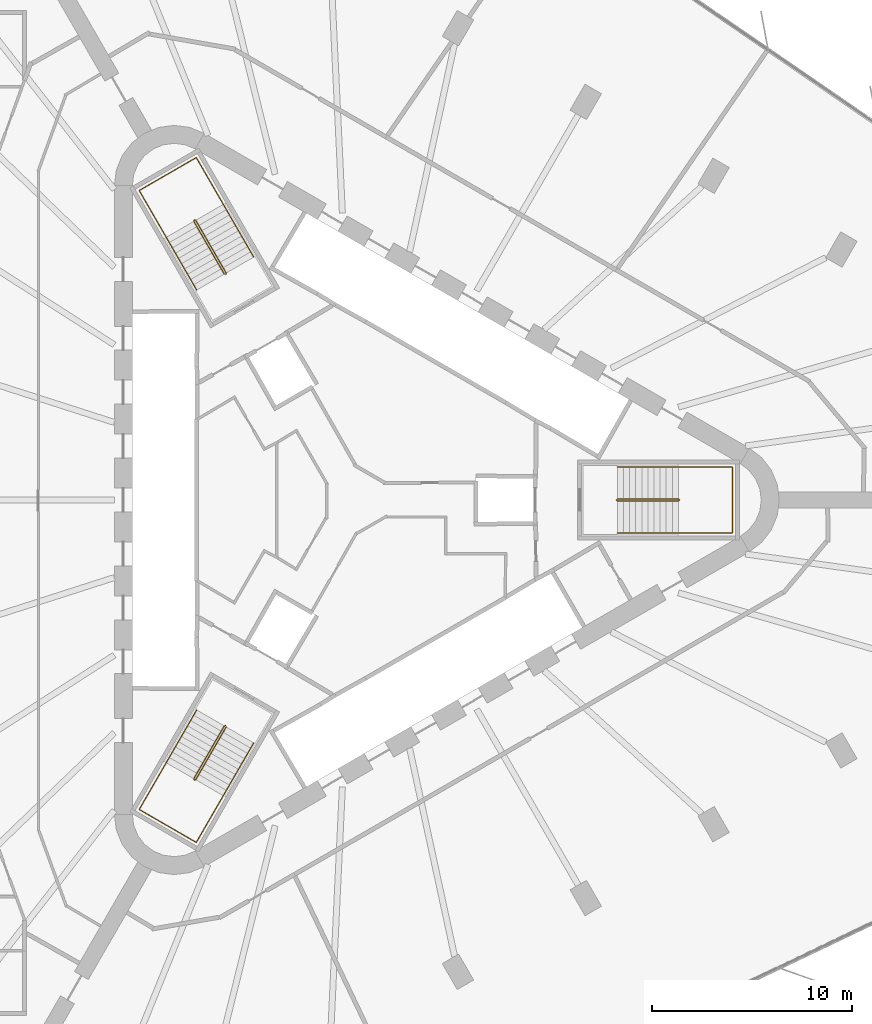
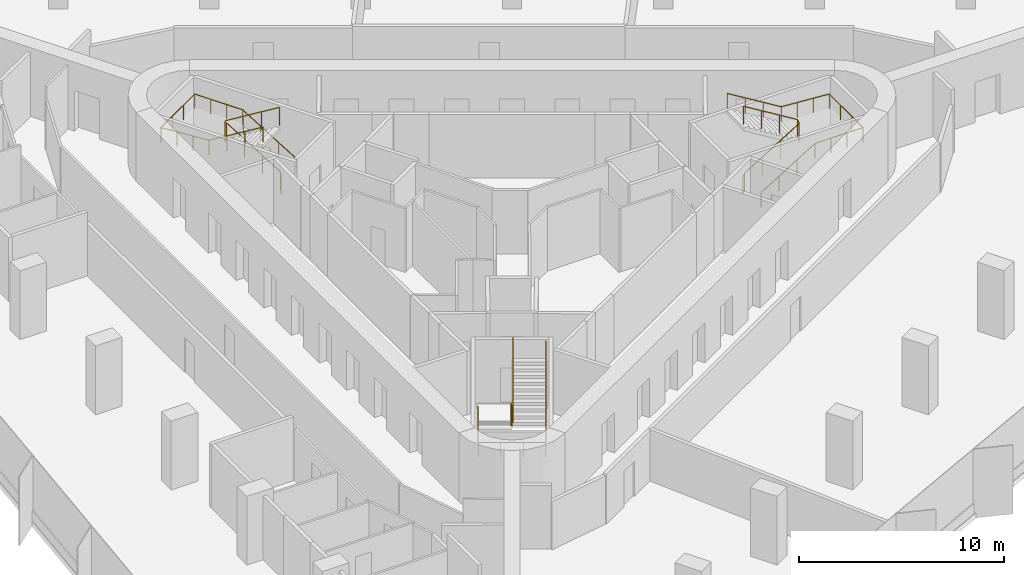
# One storey, part 15 of 15: 6 railings.
"""IFC4 building model written with IfcOpenShell, lengths in metres."""

from ifc_helpers import new_model, si_unit, direction, frame, origin, origin_2d, place, context, subcontext, project, spatial, circle, extrude, material, type_object, element, save


model = new_model("IFC4")

# Units and contexts
model_context = context("Model", 3, precision=1e-05, world=origin(), true_north=direction((0.0, 1.0)))
body_context = subcontext(model_context, "Body", "Model", "MODEL_VIEW")
ifc_project = project(units=[si_unit("LENGTHUNIT", "METRE"), si_unit("AREAUNIT", "SQUARE_METRE"), si_unit("VOLUMEUNIT", "CUBIC_METRE"), si_unit("PLANEANGLEUNIT", "RADIAN"), si_unit("MASSUNIT", "GRAM", prefix="KILO")], contexts=[model_context])

# Site, building, storey
site_placement = place(None, origin())
site = spatial("IfcSite", under=ifc_project, at=site_placement, CompositionType="ELEMENT")
building_placement = place(site_placement, origin())
building = spatial("IfcBuilding", under=site, at=building_placement, Name="Tanit Gate Tower", CompositionType="ELEMENT")
storey_placement = place(building_placement, frame((0.0, 0.0, 98.800048828125)))
storey = spatial("IfcBuildingStorey", under=building, at=storey_placement, Name="L20", CompositionType="ELEMENT", Elevation=98.800048828125)

# Railings
ifc_material_1 = material(Name="Stainless steel balustrade", Category="steel")
railing_type_1 = type_object("IfcRailingType", Name="INT-STAIR-GUARD", PredefinedType="GUARDRAIL", material=ifc_material_1)
railing_1_placement = place(storey_placement, frame((13.044921875, 0.0048828125, 0.0)))
element("IfcRailing", 1, at=railing_1_placement, inside=storey, type_object=railing_type_1, Name="L20 S1 stair guard 1", PredefinedType="GUARDRAIL", context=body_context, shape_type="SweptSolid", body=[
    extrude(circle(Radius=0.02392578125, at=origin_2d()), frame((0.0, 0.0, 1.076171875), z_axis=(0.0, -1.0, 0.0), x_axis=(1.0, 0.0, 0.0)), (0.0, 0.0, 1.0), 0.009765625),
    extrude(circle(Radius=0.02392578125, at=origin_2d()), frame((0.0, -0.009765625, 1.076171875), z_axis=(0.251157038772, -0.251157038772, 0.934794246747), x_axis=(0.707106781187, 0.707106781187, 0.0)), (0.0, 0.0, 1.0), 0.19921875),
    extrude(circle(Radius=0.02392578125, at=origin_2d()), frame((0.050048828125, -0.059814453125, 1.26220703125), z_axis=(0.853374658889, 0.0, 0.521298083217), x_axis=(0.0, 1.0, 0.0)), (0.0, 0.0, 1.0), 3.5751953125),
    extrude(circle(Radius=0.02392578125, at=origin_2d()), frame((3.10107421875, -0.059814453125, 3.1259765625), z_axis=(0.707106781187, 0.707106781187, 0.0), x_axis=(-0.707106781187, 0.707106781187, 0.0)), (0.0, 0.0, 1.0), 0.07080078125),
    extrude(circle(Radius=0.02392578125, at=origin_2d()), frame((3.151123046875, -0.009765625, 3.1259765625), z_axis=(0.0, 1.0, 0.0), x_axis=(-1.0, 0.0, 0.0)), (0.0, 0.0, 1.0), 0.009765625),
    extrude(circle(Radius=0.02392578125, at=origin_2d()), frame((3.151123046875, 0.0, 3.1259765625), z_axis=(-0.251157038772, 0.251157038772, 0.934794246747), x_axis=(-0.707106781187, -0.707106781187, 0.0)), (0.0, 0.0, 1.0), 0.19921875),
    extrude(circle(Radius=0.02392578125, at=origin_2d()), frame((3.10107421875, 0.050048828125, 3.3125), z_axis=(-0.853405036568, 0.0, 0.521248351134), x_axis=(0.0, -1.0, 0.0)), (0.0, 0.0, 1.0), 3.5751953125),
    extrude(circle(Radius=0.02099609375, at=origin_2d()), origin(), (0.0, 0.0, 1.0), 1.052001953125),
    extrude(circle(Radius=0.02099609375, at=origin_2d()), frame((0.0, -0.009765625, 0.0)), (0.0, 0.0, 1.0), 1.052001953125),
    extrude(circle(Radius=0.02099609375, at=origin_2d()), frame((0.050048828125, -0.059814453125, 0.186279296875)), (0.0, 0.0, 1.0), 1.052001953125),
    extrude(circle(Radius=0.02099609375, at=origin_2d()), frame((1.067138671875, -0.059814453125, 0.8076171875)), (0.0, 0.0, 1.0), 1.052001953125),
    extrude(circle(Radius=0.02099609375, at=origin_2d()), frame((2.083984375, -0.059814453125, 1.4287109375)), (0.0, 0.0, 1.0), 1.052001953125),
    extrude(circle(Radius=0.02099609375, at=origin_2d()), frame((3.10107421875, -0.059814453125, 2.050048828125)), (0.0, 0.0, 1.0), 1.052001953125),
    extrude(circle(Radius=0.02099609375, at=origin_2d()), frame((3.151123046875, -0.009765625, 2.050048828125)), (0.0, 0.0, 1.0), 1.052001953125),
    extrude(circle(Radius=0.02099609375, at=origin_2d()), frame((3.151123046875, 0.0, 2.050048828125)), (0.0, 0.0, 1.0), 1.052001953125),
    extrude(circle(Radius=0.02099609375, at=origin_2d()), frame((3.10107421875, 0.050048828125, 2.236328125)), (0.0, 0.0, 1.0), 1.052001953125),
    extrude(circle(Radius=0.02099609375, at=origin_2d()), frame((2.083984375, 0.050048828125, 2.857421875)), (0.0, 0.0, 1.0), 1.052001953125),
    extrude(circle(Radius=0.02099609375, at=origin_2d()), frame((1.067138671875, 0.050048828125, 3.478759765625)), (0.0, 0.0, 1.0), 1.052001953125),
    extrude(circle(Radius=0.02099609375, at=origin_2d()), frame((0.050048828125, 0.050048828125, 4.099853515625)), (0.0, 0.0, 1.0), 1.052001953125),
])
railing_2_placement = place(storey_placement, frame((-6.527099609375, 11.29345703125, 0.0)))
element("IfcRailing", 2, at=railing_2_placement, inside=storey, type_object=railing_type_1, Name="L20 S2 stair guard 1", PredefinedType="GUARDRAIL", context=body_context, shape_type="SweptSolid", body=[
    extrude(circle(Radius=0.02392578125, at=origin_2d()), frame((0.0, 0.0, 1.076171875), z_axis=(0.868243142124, 0.496138938357, 0.0), x_axis=(-0.496138938357, 0.868243142124, 0.0)), (0.0, 0.0, 1.0), 0.01171875),
    extrude(circle(Radius=0.02392578125, at=origin_2d()), frame((0.01025390625, 0.005859375, 1.076171875), z_axis=(0.091888445584, 0.343050196848, 0.93481178641), x_axis=(-0.965948051503, 0.258736085224, 0.0)), (0.0, 0.0, 1.0), 0.19921875),
    extrude(circle(Radius=0.02392578125, at=origin_2d()), frame((0.028564453125, 0.07421875, 1.26220703125), z_axis=(-0.426636495959, 0.738911183393, 0.521528104107), x_axis=(-0.866012246495, -0.500022788402, 0.0)), (0.0, 0.0, 1.0), 3.57373046875),
    extrude(circle(Radius=0.02392578125, at=origin_2d()), frame((-1.49609375, 2.71484375, 3.1259765625), z_axis=(-0.965715946433, 0.259601060869, 0.0), x_axis=(-0.259601060869, -0.965715946433, 0.0)), (0.0, 0.0, 1.0), 0.070556640625),
    extrude(circle(Radius=0.02392578125, at=origin_2d()), frame((-1.564208984375, 2.733154296875, 3.1259765625), z_axis=(-0.873197702015, -0.487366159264, 0.0), x_axis=(0.487366159264, -0.873197702015, 0.0)), (0.0, 0.0, 1.0), 0.011962890625),
    extrude(circle(Radius=0.02392578125, at=origin_2d()), frame((-1.57470703125, 2.727294921875, 3.1259765625), z_axis=(-0.091888445584, -0.343050196848, 0.93481178641), x_axis=(0.965948051503, -0.258736085224, 0.0)), (0.0, 0.0, 1.0), 0.19921875),
    extrude(circle(Radius=0.02392578125, at=origin_2d()), frame((-1.593017578125, 2.658935546875, 3.3125), z_axis=(0.426651696395, -0.73893750972, 0.521478366466), x_axis=(0.866012246495, 0.500022788402, 0.0)), (0.0, 0.0, 1.0), 3.573486328125),
    extrude(circle(Radius=0.02099609375, at=origin_2d()), origin(), (0.0, 0.0, 1.0), 1.052001953125),
    extrude(circle(Radius=0.02099609375, at=origin_2d()), frame((0.01025390625, 0.005859375, 0.0)), (0.0, 0.0, 1.0), 1.052001953125),
    extrude(circle(Radius=0.02099609375, at=origin_2d()), frame((0.028564453125, 0.07421875, 0.186279296875)), (0.0, 0.0, 1.0), 1.052001953125),
    extrude(circle(Radius=0.02099609375, at=origin_2d()), frame((-0.479736328125, 0.954345703125, 0.8076171875)), (0.0, 0.0, 1.0), 1.052001953125),
    extrude(circle(Radius=0.02099609375, at=origin_2d()), frame((-0.98779296875, 1.834716796875, 1.4287109375)), (0.0, 0.0, 1.0), 1.052001953125),
    extrude(circle(Radius=0.02099609375, at=origin_2d()), frame((-1.49609375, 2.71484375, 2.050048828125)), (0.0, 0.0, 1.0), 1.052001953125),
    extrude(circle(Radius=0.02099609375, at=origin_2d()), frame((-1.564208984375, 2.733154296875, 2.050048828125)), (0.0, 0.0, 1.0), 1.052001953125),
    extrude(circle(Radius=0.02099609375, at=origin_2d()), frame((-1.57470703125, 2.727294921875, 2.050048828125)), (0.0, 0.0, 1.0), 1.052001953125),
    extrude(circle(Radius=0.02099609375, at=origin_2d()), frame((-1.593017578125, 2.658935546875, 2.236328125)), (0.0, 0.0, 1.0), 1.052001953125),
    extrude(circle(Radius=0.02099609375, at=origin_2d()), frame((-1.084716796875, 1.77880859375, 2.857421875)), (0.0, 0.0, 1.0), 1.052001953125),
    extrude(circle(Radius=0.02099609375, at=origin_2d()), frame((-0.57666015625, 0.8984375, 3.478759765625)), (0.0, 0.0, 1.0), 1.052001953125),
    extrude(circle(Radius=0.02099609375, at=origin_2d()), frame((-0.068359375, 0.018310546875, 4.099853515625)), (0.0, 0.0, 1.0), 1.052001953125),
])
railing_3_placement = place(storey_placement, frame((-6.51806640625, -11.2998046875, 0.0)))
element("IfcRailing", 3, at=railing_3_placement, inside=storey, type_object=railing_type_1, Name="L20 S3 stair guard 1", PredefinedType="GUARDRAIL", context=body_context, shape_type="SweptSolid", body=[
    extrude(circle(Radius=0.02392578125, at=origin_2d()), frame((0.0, 0.0, 1.076171875), z_axis=(-0.874157276122, 0.485642931179, 0.0), x_axis=(-0.485642931179, -0.874157276122, 0.0)), (0.0, 0.0, 1.0), 0.010009765625),
    extrude(circle(Radius=0.02392578125, at=origin_2d()), frame((-0.0087890625, 0.0048828125, 1.076171875), z_axis=(-0.343088566343, -0.090673406819, 0.934916343285), x_axis=(0.255512919477, -0.966805641264, 0.0)), (0.0, 0.0, 1.0), 0.19921875),
    extrude(circle(Radius=0.02392578125, at=origin_2d()), frame((-0.0771484375, -0.01318359375, 1.26220703125), z_axis=(-0.42665336134, -0.739063593114, 0.52129829713), x_axis=(0.866048339477, -0.499960272111, 0.0)), (0.0, 0.0, 1.0), 3.5751953125),
    extrude(circle(Radius=0.02392578125, at=origin_2d()), frame((-1.6025390625, -2.655517578125, 3.1259765625), z_axis=(0.258736085224, -0.965948051503, 0.0), x_axis=(0.965948051503, 0.258736085224, 0.0)), (0.0, 0.0, 1.0), 0.07080078125),
    extrude(circle(Radius=0.02392578125, at=origin_2d()), frame((-1.584228515625, -2.723876953125, 3.1259765625), z_axis=(0.868243142124, -0.496138938357, 0.0), x_axis=(0.496138938357, 0.868243142124, 0.0)), (0.0, 0.0, 1.0), 0.009765625),
    extrude(circle(Radius=0.02392578125, at=origin_2d()), frame((-1.57568359375, -2.728759765625, 3.1259765625), z_axis=(0.343050196848, 0.091888445584, 0.93481178641), x_axis=(-0.258736085224, 0.965948051503, 0.0)), (0.0, 0.0, 1.0), 0.19921875),
    extrude(circle(Radius=0.02392578125, at=origin_2d()), frame((-1.50732421875, -2.71044921875, 3.3125), z_axis=(0.426745940485, 0.73903737685, 0.521259683745), x_axis=(-0.865993683553, 0.500054937028, 0.0)), (0.0, 0.0, 1.0), 3.574951171875),
    extrude(circle(Radius=0.02099609375, at=origin_2d()), origin(), (0.0, 0.0, 1.0), 1.052001953125),
    extrude(circle(Radius=0.02099609375, at=origin_2d()), frame((-0.0087890625, 0.0048828125, 0.0)), (0.0, 0.0, 1.0), 1.052001953125),
    extrude(circle(Radius=0.02099609375, at=origin_2d()), frame((-0.0771484375, -0.01318359375, 0.186279296875)), (0.0, 0.0, 1.0), 1.052001953125),
    extrude(circle(Radius=0.02099609375, at=origin_2d()), frame((-0.585693359375, -0.89404296875, 0.8076171875)), (0.0, 0.0, 1.0), 1.052001953125),
    extrude(circle(Radius=0.02099609375, at=origin_2d()), frame((-1.093994140625, -1.774658203125, 1.4287109375)), (0.0, 0.0, 1.0), 1.052001953125),
    extrude(circle(Radius=0.02099609375, at=origin_2d()), frame((-1.6025390625, -2.655517578125, 2.050048828125)), (0.0, 0.0, 1.0), 1.052001953125),
    extrude(circle(Radius=0.02099609375, at=origin_2d()), frame((-1.584228515625, -2.723876953125, 2.050048828125)), (0.0, 0.0, 1.0), 1.052001953125),
    extrude(circle(Radius=0.02099609375, at=origin_2d()), frame((-1.57568359375, -2.728759765625, 2.050048828125)), (0.0, 0.0, 1.0), 1.052001953125),
    extrude(circle(Radius=0.02099609375, at=origin_2d()), frame((-1.50732421875, -2.71044921875, 2.236328125)), (0.0, 0.0, 1.0), 1.052001953125),
    extrude(circle(Radius=0.02099609375, at=origin_2d()), frame((-0.998779296875, -1.829833984375, 2.857421875)), (0.0, 0.0, 1.0), 1.052001953125),
    extrude(circle(Radius=0.02099609375, at=origin_2d()), frame((-0.490234375, -0.948974609375, 3.478759765625)), (0.0, 0.0, 1.0), 1.052001953125),
    extrude(circle(Radius=0.02099609375, at=origin_2d()), frame((0.018310546875, -0.068359375, 4.099853515625)), (0.0, 0.0, 1.0), 1.052001953125),
])
ifc_material_2 = material(Name="Stainless steel handrail", Category="steel")
railing_type_2 = type_object("IfcRailingType", Name="INT-STAIR-HANDRAIL", PredefinedType="HANDRAIL", material=ifc_material_2)
railing_4_placement = place(storey_placement, frame((13.094970703125, -1.64990234375, 0.186279296875)))
element("IfcRailing", 4, at=railing_4_placement, inside=storey, type_object=railing_type_2, Name="L20 S1 stair handrail 1", PredefinedType="HANDRAIL", context=body_context, shape_type="SweptSolid", body=[
    extrude(circle(Radius=0.02392578125, at=origin_2d()), frame((0.0, 0.0, 0.8759765625), z_axis=(0.853374658889, 0.0, 0.521298083217), x_axis=(0.0, 1.0, 0.0)), (0.0, 0.0, 1.0), 3.5751953125),
    extrude(circle(Radius=0.02392578125, at=origin_2d()), frame((3.051025390625, 0.0, 2.73974609375), z_axis=(1.0, 0.0, 0.0), x_axis=(0.0, 1.0, 0.0)), (0.0, 0.0, 1.0), 2.7041015625),
    extrude(circle(Radius=0.02392578125, at=origin_2d()), frame((5.755126953125, 0.0, 2.73974609375), z_axis=(0.0, 1.0, 0.0), x_axis=(-1.0, 0.0, 0.0)), (0.0, 0.0, 1.0), 3.2998046875),
    extrude(circle(Radius=0.02392578125, at=origin_2d()), frame((5.755126953125, 3.2998046875, 2.73974609375), z_axis=(-0.997635655124, 0.0, 0.06872481084), x_axis=(0.0, -1.0, 0.0)), (0.0, 0.0, 1.0), 2.71044921875),
    extrude(circle(Radius=0.02392578125, at=origin_2d()), frame((3.051025390625, 3.2998046875, 2.92578125), z_axis=(-0.853405036568, 0.0, 0.521248351134), x_axis=(0.0, -1.0, 0.0)), (0.0, 0.0, 1.0), 3.5751953125),
    extrude(circle(Radius=0.02099609375, at=origin_2d()), origin(), (0.0, 0.0, 1.0), 0.851806640625),
    extrude(circle(Radius=0.02099609375, at=origin_2d()), frame((1.01708984375, 0.0, 0.621337890625)), (0.0, 0.0, 1.0), 0.851806640625),
    extrude(circle(Radius=0.02099609375, at=origin_2d()), frame((2.033935546875, 0.0, 1.242431640625)), (0.0, 0.0, 1.0), 0.851806640625),
    extrude(circle(Radius=0.02099609375, at=origin_2d()), frame((3.051025390625, 0.0, 1.86376953125)), (0.0, 0.0, 1.0), 0.851806640625),
    extrude(circle(Radius=0.02099609375, at=origin_2d()), frame((3.952392578125, 0.0, 1.86376953125)), (0.0, 0.0, 1.0), 0.851806640625),
    extrude(circle(Radius=0.02099609375, at=origin_2d()), frame((4.853759765625, 0.0, 1.86376953125)), (0.0, 0.0, 1.0), 0.851806640625),
    extrude(circle(Radius=0.02099609375, at=origin_2d()), frame((5.755126953125, 0.0, 1.86376953125)), (0.0, 0.0, 1.0), 0.851806640625),
    extrude(circle(Radius=0.02099609375, at=origin_2d()), frame((5.755126953125, 1.099853515625, 1.86376953125)), (0.0, 0.0, 1.0), 0.851806640625),
    extrude(circle(Radius=0.02099609375, at=origin_2d()), frame((5.755126953125, 2.199951171875, 1.86376953125)), (0.0, 0.0, 1.0), 0.851806640625),
    extrude(circle(Radius=0.02099609375, at=origin_2d()), frame((5.755126953125, 3.2998046875, 1.86376953125)), (0.0, 0.0, 1.0), 0.851806640625),
    extrude(circle(Radius=0.02099609375, at=origin_2d()), frame((4.853759765625, 3.2998046875, 1.92578125)), (0.0, 0.0, 1.0), 0.851806640625),
    extrude(circle(Radius=0.02099609375, at=origin_2d()), frame((3.952392578125, 3.2998046875, 1.988037109375)), (0.0, 0.0, 1.0), 0.851806640625),
    extrude(circle(Radius=0.02099609375, at=origin_2d()), frame((3.051025390625, 3.2998046875, 2.050048828125)), (0.0, 0.0, 1.0), 0.851806640625),
    extrude(circle(Radius=0.02099609375, at=origin_2d()), frame((2.033935546875, 3.2998046875, 2.671142578125)), (0.0, 0.0, 1.0), 0.851806640625),
    extrude(circle(Radius=0.02099609375, at=origin_2d()), frame((1.01708984375, 3.2998046875, 3.29248046875)), (0.0, 0.0, 1.0), 0.851806640625),
    extrude(circle(Radius=0.02099609375, at=origin_2d()), frame((0.0, 3.2998046875, 3.91357421875)), (0.0, 0.0, 1.0), 0.851806640625),
])
railing_5_placement = place(storey_placement, frame((-5.1181640625, 12.164794921875, 0.186279296875)))
element("IfcRailing", 5, at=railing_5_placement, inside=storey, type_object=railing_type_2, Name="L20 S2 stair handrail 1", PredefinedType="HANDRAIL", context=body_context, shape_type="SweptSolid", body=[
    extrude(circle(Radius=0.02392578125, at=origin_2d()), frame((0.0, 0.0, 0.8759765625), z_axis=(-0.426580611902, 0.738932719144, 0.521543304174), x_axis=(-0.866046917185, -0.499962735845, 0.0)), (0.0, 0.0, 1.0), 3.573486328125),
    extrude(circle(Radius=0.02392578125, at=origin_2d()), frame((-1.5244140625, 2.640625, 2.73974609375), z_axis=(-0.500019123664, 0.86601436245, 0.0), x_axis=(-0.86601436245, -0.500019123664, 0.0)), (0.0, 0.0, 1.0), 2.70703125),
    extrude(circle(Radius=0.02392578125, at=origin_2d()), frame((-2.8779296875, 4.98486328125, 2.73974609375), z_axis=(-0.866008176907, -0.50002983664, 0.0), x_axis=(0.50002983664, -0.866008176907, 0.0)), (0.0, 0.0, 1.0), 3.300048828125),
    extrude(circle(Radius=0.02392578125, at=origin_2d()), frame((-5.73583984375, 3.334716796875, 2.73974609375), z_axis=(0.498878146149, -0.863948246966, 0.06865873476), x_axis=(0.865991810323, 0.500058181068, 0.0)), (0.0, 0.0, 1.0), 2.713134765625),
    extrude(circle(Radius=0.02392578125, at=origin_2d()), frame((-4.38232421875, 0.99072265625, 2.92578125), z_axis=(0.426630158194, -0.738968522208, 0.521452041232), x_axis=(0.866032263162, 0.499988119021, 0.0)), (0.0, 0.0, 1.0), 3.57373046875),
    extrude(circle(Radius=0.02099609375, at=origin_2d()), origin(), (0.0, 0.0, 1.0), 0.851806640625),
    extrude(circle(Radius=0.02099609375, at=origin_2d()), frame((-0.508056640625, 0.880126953125, 0.621337890625)), (0.0, 0.0, 1.0), 0.851806640625),
    extrude(circle(Radius=0.02099609375, at=origin_2d()), frame((-1.016357421875, 1.760498046875, 1.242431640625)), (0.0, 0.0, 1.0), 0.851806640625),
    extrude(circle(Radius=0.02099609375, at=origin_2d()), frame((-1.5244140625, 2.640625, 1.86376953125)), (0.0, 0.0, 1.0), 0.851806640625),
    extrude(circle(Radius=0.02099609375, at=origin_2d()), frame((-1.9755859375, 3.422119140625, 1.86376953125)), (0.0, 0.0, 1.0), 0.851806640625),
    extrude(circle(Radius=0.02099609375, at=origin_2d()), frame((-2.4267578125, 4.203369140625, 1.86376953125)), (0.0, 0.0, 1.0), 0.851806640625),
    extrude(circle(Radius=0.02099609375, at=origin_2d()), frame((-2.8779296875, 4.98486328125, 1.86376953125)), (0.0, 0.0, 1.0), 0.851806640625),
    extrude(circle(Radius=0.02099609375, at=origin_2d()), frame((-3.83056640625, 4.434814453125, 1.86376953125)), (0.0, 0.0, 1.0), 0.851806640625),
    extrude(circle(Radius=0.02099609375, at=origin_2d()), frame((-4.783203125, 3.884765625, 1.86376953125)), (0.0, 0.0, 1.0), 0.851806640625),
    extrude(circle(Radius=0.02099609375, at=origin_2d()), frame((-5.73583984375, 3.334716796875, 1.86376953125)), (0.0, 0.0, 1.0), 0.851806640625),
    extrude(circle(Radius=0.02099609375, at=origin_2d()), frame((-5.28466796875, 2.553466796875, 1.92578125)), (0.0, 0.0, 1.0), 0.851806640625),
    extrude(circle(Radius=0.02099609375, at=origin_2d()), frame((-4.83349609375, 1.77197265625, 1.988037109375)), (0.0, 0.0, 1.0), 0.851806640625),
    extrude(circle(Radius=0.02099609375, at=origin_2d()), frame((-4.38232421875, 0.99072265625, 2.050048828125)), (0.0, 0.0, 1.0), 0.851806640625),
    extrude(circle(Radius=0.02099609375, at=origin_2d()), frame((-3.8740234375, 0.1103515625, 2.671142578125)), (0.0, 0.0, 1.0), 0.851806640625),
    extrude(circle(Radius=0.02099609375, at=origin_2d()), frame((-3.365966796875, -0.769775390625, 3.29248046875)), (0.0, 0.0, 1.0), 0.851806640625),
    extrude(circle(Radius=0.02099609375, at=origin_2d()), frame((-2.857666015625, -1.650146484375, 3.91357421875)), (0.0, 0.0, 1.0), 0.851806640625),
])
railing_6_placement = place(storey_placement, frame((-7.9765625, -10.515625, 0.186279296875)))
element("IfcRailing", 6, at=railing_6_placement, inside=storey, type_object=railing_type_2, Name="L20 S3 stair handrail 1", PredefinedType="HANDRAIL", context=body_context, shape_type="SweptSolid", body=[
    extrude(circle(Radius=0.02392578125, at=origin_2d()), frame((0.0, 0.0, 0.8759765625), z_axis=(-0.42665336134, -0.739063593114, 0.52129829713), x_axis=(0.866048339477, -0.499960272111, 0.0)), (0.0, 0.0, 1.0), 3.5751953125),
    extrude(circle(Radius=0.02392578125, at=origin_2d()), frame((-1.525390625, -2.642333984375, 2.73974609375), z_axis=(-0.50004290449, -0.866000631449, 0.0), x_axis=(0.866000631449, -0.50004290449, 0.0)), (0.0, 0.0, 1.0), 2.703857421875),
    extrude(circle(Radius=0.02392578125, at=origin_2d()), frame((-2.87744140625, -4.98388671875, 2.73974609375), z_axis=(0.866008176907, -0.50002983664, 0.0), x_axis=(0.50002983664, 0.866008176907, 0.0)), (0.0, 0.0, 1.0), 3.300048828125),
    extrude(circle(Radius=0.02392578125, at=origin_2d()), frame((-0.01953125, -6.634033203125, 2.73974609375), z_axis=(0.498821607388, 0.86397559734, 0.068725331607), x_axis=(-0.866023205937, 0.500003806764, 0.0)), (0.0, 0.0, 1.0), 2.71044921875),
    extrude(circle(Radius=0.02392578125, at=origin_2d()), frame((1.33251953125, -4.292236328125, 2.92578125), z_axis=(0.426668548982, 0.73908990167, 0.521248565042), x_axis=(-0.866048339477, 0.499960272111, 0.0)), (0.0, 0.0, 1.0), 3.5751953125),
    extrude(circle(Radius=0.02099609375, at=origin_2d()), origin(), (0.0, 0.0, 1.0), 0.851806640625),
    extrude(circle(Radius=0.02099609375, at=origin_2d()), frame((-0.508544921875, -0.880859375, 0.621337890625)), (0.0, 0.0, 1.0), 0.851806640625),
    extrude(circle(Radius=0.02099609375, at=origin_2d()), frame((-1.016845703125, -1.761474609375, 1.242431640625)), (0.0, 0.0, 1.0), 0.851806640625),
    extrude(circle(Radius=0.02099609375, at=origin_2d()), frame((-1.525390625, -2.642333984375, 1.86376953125)), (0.0, 0.0, 1.0), 0.851806640625),
    extrude(circle(Radius=0.02099609375, at=origin_2d()), frame((-1.97607421875, -3.4228515625, 1.86376953125)), (0.0, 0.0, 1.0), 0.851806640625),
    extrude(circle(Radius=0.02099609375, at=origin_2d()), frame((-2.4267578125, -4.203369140625, 1.86376953125)), (0.0, 0.0, 1.0), 0.851806640625),
    extrude(circle(Radius=0.02099609375, at=origin_2d()), frame((-2.87744140625, -4.98388671875, 1.86376953125)), (0.0, 0.0, 1.0), 0.851806640625),
    extrude(circle(Radius=0.02099609375, at=origin_2d()), frame((-1.9248046875, -5.533935546875, 1.86376953125)), (0.0, 0.0, 1.0), 0.851806640625),
    extrude(circle(Radius=0.02099609375, at=origin_2d()), frame((-0.97216796875, -6.083984375, 1.86376953125)), (0.0, 0.0, 1.0), 0.851806640625),
    extrude(circle(Radius=0.02099609375, at=origin_2d()), frame((-0.01953125, -6.634033203125, 1.86376953125)), (0.0, 0.0, 1.0), 0.851806640625),
    extrude(circle(Radius=0.02099609375, at=origin_2d()), frame((0.43115234375, -5.853515625, 1.92578125)), (0.0, 0.0, 1.0), 0.851806640625),
    extrude(circle(Radius=0.02099609375, at=origin_2d()), frame((0.8818359375, -5.07275390625, 1.988037109375)), (0.0, 0.0, 1.0), 0.851806640625),
    extrude(circle(Radius=0.02099609375, at=origin_2d()), frame((1.33251953125, -4.292236328125, 2.050048828125)), (0.0, 0.0, 1.0), 0.851806640625),
    extrude(circle(Radius=0.02099609375, at=origin_2d()), frame((1.841064453125, -3.411376953125, 2.671142578125)), (0.0, 0.0, 1.0), 0.851806640625),
    extrude(circle(Radius=0.02099609375, at=origin_2d()), frame((2.349365234375, -2.53076171875, 3.29248046875)), (0.0, 0.0, 1.0), 0.851806640625),
    extrude(circle(Radius=0.02099609375, at=origin_2d()), frame((2.85791015625, -1.64990234375, 3.91357421875)), (0.0, 0.0, 1.0), 0.851806640625),
])

save(model, "model.ifc")
